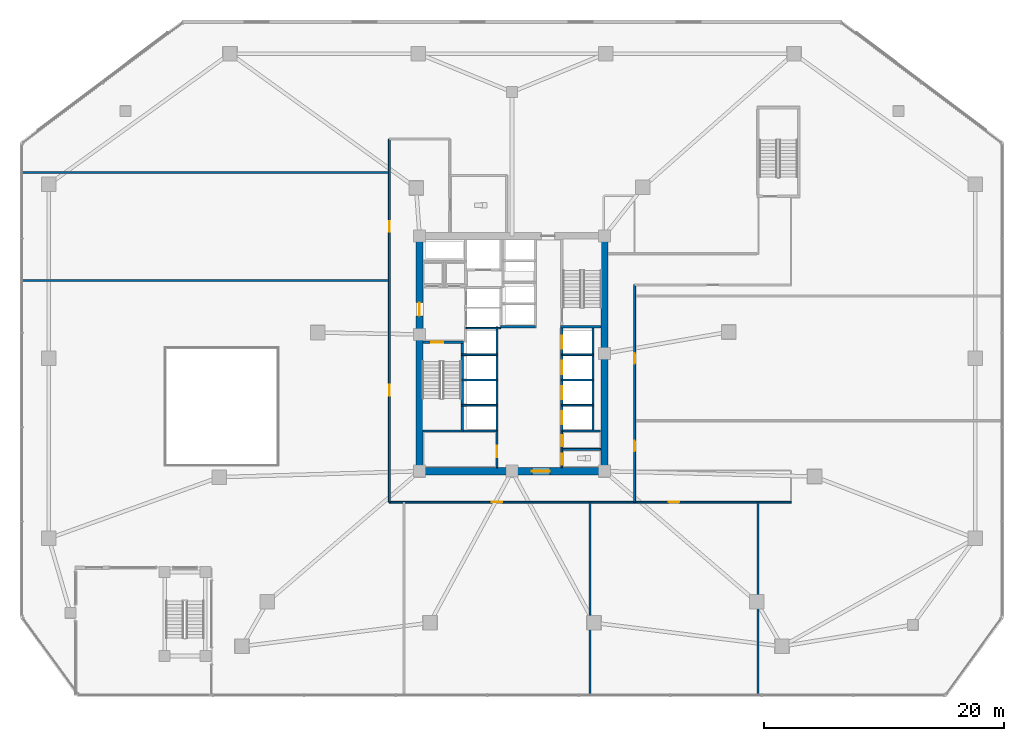
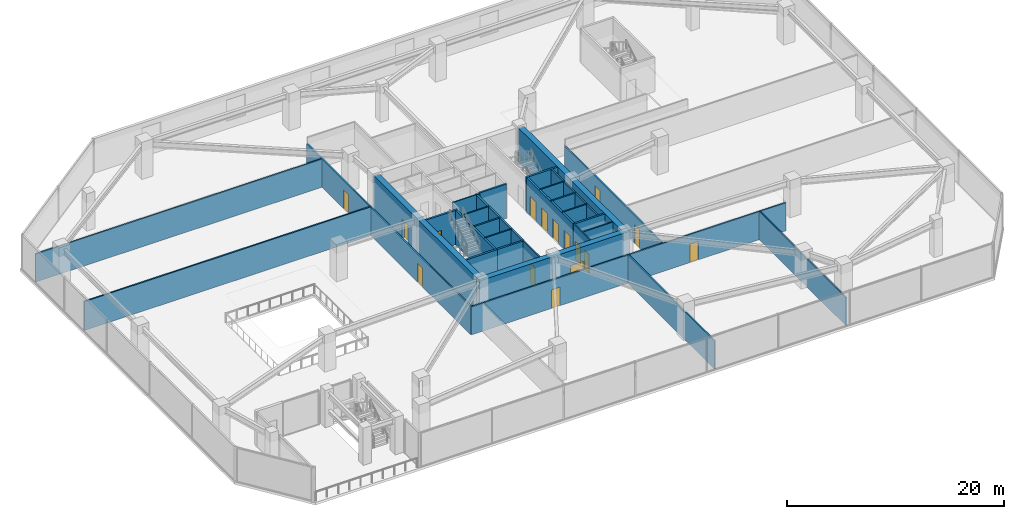
# One storey, part 11 of 22: 30 walls, 16 doors, 16 openings.
"""IFC4 building model written with IfcOpenShell, lengths in metres."""

from ifc_helpers import new_model, si_unit, direction, frame, frame_2d, origin, place, context, subcontext, project, spatial, rectangle, extrude, material, layer, layer_set, type_object, element, fill, save


model = new_model("IFC4")

# Units and contexts
model_context = context("Model", 3, precision=1e-05, world=origin(), true_north=direction((0.0, 1.0)))
body_context = subcontext(model_context, "Body", "Model", "MODEL_VIEW")
ifc_project = project(units=[si_unit("LENGTHUNIT", "METRE"), si_unit("AREAUNIT", "SQUARE_METRE"), si_unit("VOLUMEUNIT", "CUBIC_METRE"), si_unit("PLANEANGLEUNIT", "RADIAN"), si_unit("MASSUNIT", "GRAM", prefix="KILO")], contexts=[model_context])

# Site, building, storey
site_placement = place(None, origin())
site = spatial("IfcSite", under=ifc_project, at=site_placement, CompositionType="ELEMENT")
building_placement = place(site_placement, origin())
building = spatial("IfcBuilding", under=site, at=building_placement, Name="Savorim Split Tower", CompositionType="ELEMENT")
storey_placement = place(building_placement, frame((0.0, 0.0, 17.60009765625)))
storey = spatial("IfcBuildingStorey", under=building, at=storey_placement, Name="L04", CompositionType="ELEMENT", Elevation=17.60009765625)

# Wall, opening, door
ifc_material_1 = material(Name="Concrete C60/75", Category="concrete")
ifc_layer_1 = layer(ifc_material_1, 0.60009765625)
ifc_layer_set_1 = layer_set([ifc_layer_1], Name="WAL-COR-SH600")
wall_type_1 = type_object("IfcWallType", Name="WAL-COR-SH600", PredefinedType="SHEAR", material=ifc_layer_set_1)
wall_1_placement = place(storey_placement, frame((-8.0, -9.39990234375, 0.0), z_axis=(0.0, 0.0, 1.0), x_axis=(1.0, 0.0, 0.0)))
wall_1 = element("IfcWall", 1, at=wall_1_placement, inside=storey, type_object=wall_type_1, Name="L04 Offset Core South Shear Wall", PredefinedType="SHEAR", context=body_context, shape_type="SweptSolid", body=[
    extrude(rectangle(XDim=16.0, YDim=0.60009765625, at=frame_2d((8.0, 0.0))), origin(), (0.0, 0.0, 1.0), 3.8798828125),
])
opening_1_placement = place(wall_1_placement, frame((9.64990234375, 0.0, 0.0)))
opening_1 = element("IfcOpeningElement", 2, at=opening_1_placement, cuts=wall_1, Name="Opening DI-02", PredefinedType="OPENING", context=body_context, shape_type="SweptSolid", body=[
    extrude(rectangle(XDim=1.5, YDim=2.199951171875, at=frame_2d((0.75, 1.10009765625))), frame((0.0, 0.31005859375, 0.0), z_axis=(0.0, -1.0, 0.0), x_axis=(1.0, 0.0, 0.0)), (0.0, 0.0, 1.0), 0.6201171875),
])
ifc_material_2 = material(Name="Timber Fire Door Leaf", Category="wood")
door_type_1 = type_object("IfcDoorType", Name="DOR-DBL-1500", OperationType="NOTDEFINED", PredefinedType="DOOR", material=ifc_material_2)
door_1_placement = place(opening_1_placement, origin())
door_1 = element("IfcDoor", 3, at=door_1_placement, inside=storey, type_object=door_type_1, Name="DOR-L04-COR-LLOB - L04 Lift Lobby Main Rated Door", OperationType="DOUBLE_DOOR_SINGLE_SWING", OverallHeight=2.199951171875, OverallWidth=1.5, PredefinedType="DOOR", context=body_context, shape_type="SweptSolid", body=[
    extrude(rectangle(XDim=1.5, YDim=2.199951171875, at=frame_2d((0.75, 1.10009765625))), frame((0.0, 0.02490234375, 0.0), z_axis=(0.0, -1.0, 0.0), x_axis=(1.0, 0.0, 0.0)), (0.0, 0.0, 1.0), 0.050048828125),
])
fill(opening_1, door_1)

wall_2_placement = place(storey_placement, frame((-7.699951171875, -9.10009765625, 0.0), z_axis=(0.0, 0.0, 1.0), x_axis=(0.0, 1.0, 0.0)))
wall_2 = element("IfcWall", 4, at=wall_2_placement, inside=storey, type_object=wall_type_1, Name="L04 Offset Core West Shear Wall", PredefinedType="SHEAR", context=body_context, shape_type="SweptSolid", body=[
    extrude(rectangle(XDim=19.0, YDim=0.60009765625, at=frame_2d((9.5, 0.0))), origin(), (0.0, 0.0, 1.0), 3.8798828125),
])
opening_2_placement = place(wall_2_placement, frame((12.64990234375, 0.0, 0.0)))
opening_2 = element("IfcOpeningElement", 5, at=opening_2_placement, cuts=wall_2, Name="Opening DI-03", PredefinedType="OPENING", context=body_context, shape_type="SweptSolid", body=[
    extrude(rectangle(XDim=1.10009765625, YDim=2.14990234375, at=frame_2d((0.550048828125, 1.074951171875))), frame((0.0, 0.31005859375, 0.0), z_axis=(0.0, -1.0, 0.0), x_axis=(1.0, 0.0, 0.0)), (0.0, 0.0, 1.0), 0.6201171875),
])
door_type_2 = type_object("IfcDoorType", Name="DOR-FIR-1100", OperationType="NOTDEFINED", PredefinedType="DOOR", material=ifc_material_2)
door_2_placement = place(opening_2_placement, origin())
door_2 = element("IfcDoor", 6, at=door_2_placement, inside=storey, type_object=door_type_2, Name="DOR-L04-COR-FFLOB - L04 Firefighting Lobby Corridor Door", OperationType="SINGLE_SWING_RIGHT", OverallHeight=2.14990234375, OverallWidth=1.10009765625, PredefinedType="DOOR", context=body_context, shape_type="SweptSolid", body=[
    extrude(rectangle(XDim=1.10009765625, YDim=2.14990234375, at=frame_2d((0.550048828125, 1.074951171875))), frame((0.0, 0.02490234375, 0.0), z_axis=(0.0, -1.0, 0.0), x_axis=(1.0, 0.0, 0.0)), (0.0, 0.0, 1.0), 0.050048828125),
])
fill(opening_2, door_2)

# Wall
wall_3_placement = place(storey_placement, frame((7.699951171875, 9.89990234375, 0.0), z_axis=(0.0, 0.0, 1.0), x_axis=(0.0, -1.0, 0.0)))
element("IfcWall", 7, at=wall_3_placement, inside=storey, type_object=wall_type_1, Name="L04 Offset Core East Shear Wall", PredefinedType="SHEAR", context=body_context, shape_type="SweptSolid", body=[
    extrude(rectangle(XDim=19.0, YDim=0.60009765625, at=frame_2d((9.5, 0.0))), origin(), (0.0, 0.0, 1.0), 3.8798828125),
])

# Wall, opening, door
ifc_material_3 = material(Name="Concrete C50/60", Category="concrete")
ifc_layer_2 = layer(ifc_material_3, 0.199951171875)
ifc_layer_set_2 = layer_set([ifc_layer_2], Name="WAL-INT-RC200")
wall_type_2 = type_object("IfcWallType", Name="WAL-INT-RC200", PredefinedType="SOLIDWALL", material=ifc_layer_set_2)
wall_4_placement = place(storey_placement, frame((-7.39990234375, 1.35009765625, 0.0), z_axis=(0.0, 0.0, 1.0), x_axis=(1.0, 0.0, 0.0)))
wall_4 = element("IfcWall", 8, at=wall_4_placement, inside=storey, type_object=wall_type_2, Name="L04 Structural Shaft Wall W-L04-CR01", PredefinedType="SOLIDWALL", context=body_context, shape_type="SweptSolid", body=[
    extrude(rectangle(XDim=3.349853515625, YDim=0.199951171875, at=frame_2d((1.6748046875, 0.0))), origin(), (0.0, 0.0, 1.0), 3.8798828125),
])
opening_3_placement = place(wall_4_placement, frame((0.64990234375, 0.0, 0.0)))
opening_3 = element("IfcOpeningElement", 9, at=opening_3_placement, cuts=wall_4, Name="Opening DI-04", PredefinedType="OPENING", context=body_context, shape_type="SweptSolid", body=[
    extrude(rectangle(XDim=1.0, YDim=2.14990234375, at=frame_2d((0.5, 1.074951171875))), frame((0.0, 0.10986328125, 0.0), z_axis=(0.0, -1.0, 0.0), x_axis=(1.0, 0.0, 0.0)), (0.0, 0.0, 1.0), 0.219970703125),
])
door_type_3 = type_object("IfcDoorType", Name="DOR-FIR-1000", OperationType="NOTDEFINED", PredefinedType="DOOR", material=ifc_material_2)
door_3_placement = place(opening_3_placement, origin())
door_3 = element("IfcDoor", 10, at=door_3_placement, inside=storey, type_object=door_type_3, Name="DR-L04-ST1 - L04 Stair ST-1 Enclosure Door", OperationType="SINGLE_SWING_LEFT", OverallHeight=2.14990234375, OverallWidth=1.0, PredefinedType="DOOR", context=body_context, shape_type="SweptSolid", body=[
    extrude(rectangle(XDim=1.0, YDim=2.14990234375, at=frame_2d((0.5, 1.074951171875))), frame((0.0, 0.02490234375, 0.0), z_axis=(0.0, -1.0, 0.0), x_axis=(1.0, 0.0, 0.0)), (0.0, 0.0, 1.0), 0.050048828125),
])
fill(opening_3, door_3)

# Walls
wall_5_placement = place(storey_placement, frame((-4.14990234375, -5.949951171875, 0.0), z_axis=(0.0, 0.0, 1.0), x_axis=(0.0, 1.0, 0.0)))
element("IfcWall", 11, at=wall_5_placement, inside=storey, type_object=wall_type_2, Name="L04 Structural Shaft Wall W-L04-CR02", PredefinedType="SOLIDWALL", context=body_context, shape_type="SweptSolid", body=[
    extrude(rectangle(XDim=7.199951171875, YDim=0.199951171875, at=frame_2d((3.60009765625, 0.0))), origin(), (0.0, 0.0, 1.0), 3.8798828125),
])
wall_6_placement = place(storey_placement, frame((4.050048828125, 2.64990234375, 0.0), z_axis=(0.0, 0.0, 1.0), x_axis=(1.0, 0.0, 0.0)))
element("IfcWall", 12, at=wall_6_placement, inside=storey, type_object=wall_type_2, Name="L04 Structural Shaft Wall W-L04-CR08", PredefinedType="SOLIDWALL", context=body_context, shape_type="SweptSolid", body=[
    extrude(rectangle(XDim=3.349853515625, YDim=0.199951171875, at=frame_2d((1.6748046875, 0.0))), origin(), (0.0, 0.0, 1.0), 3.8798828125),
])

# Wall, openings, doors
wall_7_placement = place(storey_placement, frame((4.14990234375, -6.050048828125, 0.0), z_axis=(0.0, 0.0, 1.0), x_axis=(0.0, 1.0, 0.0)))
wall_7 = element("IfcWall", 13, at=wall_7_placement, inside=storey, type_object=wall_type_2, Name="L04 Partition W-L04-B1FRONT", PredefinedType="SOLIDWALL", context=body_context, shape_type="SweptSolid", body=[
    extrude(rectangle(XDim=8.699951171875, YDim=0.199951171875, at=frame_2d((4.35009765625, 0.0))), origin(), (0.0, 0.0, 1.0), 3.8798828125),
])
opening_4_placement = place(wall_7_placement, frame((0.550048828125, 0.0, 0.0)))
opening_4 = element("IfcOpeningElement", 14, at=opening_4_placement, cuts=wall_7, Name="Opening LD-01", PredefinedType="OPENING", context=body_context, shape_type="SweptSolid", body=[
    extrude(rectangle(XDim=1.10009765625, YDim=2.14990234375, at=frame_2d((0.550048828125, 1.074951171875))), frame((0.0, 0.10986328125, 0.0), z_axis=(0.0, -1.0, 0.0), x_axis=(1.0, 0.0, 0.0)), (0.0, 0.0, 1.0), 0.219970703125),
])
opening_5_placement = place(wall_7_placement, frame((2.64990234375, 0.0, 0.0)))
opening_5 = element("IfcOpeningElement", 15, at=opening_5_placement, cuts=wall_7, Name="Opening LD-01", PredefinedType="OPENING", context=body_context, shape_type="SweptSolid", body=[
    extrude(rectangle(XDim=1.10009765625, YDim=2.14990234375, at=frame_2d((0.550048828125, 1.074951171875))), frame((0.0, 0.10986328125, 0.0), z_axis=(0.0, -1.0, 0.0), x_axis=(1.0, 0.0, 0.0)), (0.0, 0.0, 1.0), 0.219970703125),
])
opening_6_placement = place(wall_7_placement, frame((4.75, 0.0, 0.0)))
opening_6 = element("IfcOpeningElement", 16, at=opening_6_placement, cuts=wall_7, Name="Opening LD-01", PredefinedType="OPENING", context=body_context, shape_type="SweptSolid", body=[
    extrude(rectangle(XDim=1.10009765625, YDim=2.14990234375, at=frame_2d((0.550048828125, 1.074951171875))), frame((0.0, 0.10986328125, 0.0), z_axis=(0.0, -1.0, 0.0), x_axis=(1.0, 0.0, 0.0)), (0.0, 0.0, 1.0), 0.219970703125),
])
opening_7_placement = place(wall_7_placement, frame((6.85009765625, 0.0, 0.0)))
opening_7 = element("IfcOpeningElement", 17, at=opening_7_placement, cuts=wall_7, Name="Opening LD-01", PredefinedType="OPENING", context=body_context, shape_type="SweptSolid", body=[
    extrude(rectangle(XDim=1.10009765625, YDim=2.14990234375, at=frame_2d((0.550048828125, 1.074951171875))), frame((0.0, 0.10986328125, 0.0), z_axis=(0.0, -1.0, 0.0), x_axis=(1.0, 0.0, 0.0)), (0.0, 0.0, 1.0), 0.219970703125),
])
ifc_material_4 = material(Name="Charcoal Anodised Aluminium", Category="aluminium")
door_type_4 = type_object("IfcDoorType", Name="DOR-SLD-LD1100", OperationType="NOTDEFINED", PredefinedType="DOOR", material=ifc_material_4)
door_4_placement = place(opening_4_placement, origin())
door_4 = element("IfcDoor", 18, at=door_4_placement, inside=storey, type_object=door_type_4, Name="DR-L04-LD-PLL1 - L04 Lift PL-L1 Sliding Landing Door", OperationType="DOUBLE_DOOR_SLIDING", OverallHeight=2.14990234375, OverallWidth=1.10009765625, PredefinedType="DOOR", context=body_context, shape_type="SweptSolid", body=[
    extrude(rectangle(XDim=1.10009765625, YDim=2.14990234375, at=frame_2d((0.550048828125, 1.074951171875))), frame((0.0, 0.02490234375, 0.0), z_axis=(0.0, -1.0, 0.0), x_axis=(1.0, 0.0, 0.0)), (0.0, 0.0, 1.0), 0.050048828125),
])
fill(opening_4, door_4)
door_5_placement = place(opening_5_placement, origin())
door_5 = element("IfcDoor", 19, at=door_5_placement, inside=storey, type_object=door_type_4, Name="DR-L04-LD-PLL2 - L04 Lift PL-L2 Sliding Landing Door", OperationType="DOUBLE_DOOR_SLIDING", OverallHeight=2.14990234375, OverallWidth=1.10009765625, PredefinedType="DOOR", context=body_context, shape_type="SweptSolid", body=[
    extrude(rectangle(XDim=1.10009765625, YDim=2.14990234375, at=frame_2d((0.550048828125, 1.074951171875))), frame((0.0, 0.02490234375, 0.0), z_axis=(0.0, -1.0, 0.0), x_axis=(1.0, 0.0, 0.0)), (0.0, 0.0, 1.0), 0.050048828125),
])
fill(opening_5, door_5)
door_6_placement = place(opening_6_placement, origin())
door_6 = element("IfcDoor", 20, at=door_6_placement, inside=storey, type_object=door_type_4, Name="DR-L04-LD-PLL3 - L04 Lift PL-L3 Sliding Landing Door", OperationType="DOUBLE_DOOR_SLIDING", OverallHeight=2.14990234375, OverallWidth=1.10009765625, PredefinedType="DOOR", context=body_context, shape_type="SweptSolid", body=[
    extrude(rectangle(XDim=1.10009765625, YDim=2.14990234375, at=frame_2d((0.550048828125, 1.074951171875))), frame((0.0, 0.02490234375, 0.0), z_axis=(0.0, -1.0, 0.0), x_axis=(1.0, 0.0, 0.0)), (0.0, 0.0, 1.0), 0.050048828125),
])
fill(opening_6, door_6)
door_7_placement = place(opening_7_placement, origin())
door_7 = element("IfcDoor", 21, at=door_7_placement, inside=storey, type_object=door_type_4, Name="DR-L04-LD-PLL4 - L04 Lift PL-L4 Sliding Landing Door", OperationType="DOUBLE_DOOR_SLIDING", OverallHeight=2.14990234375, OverallWidth=1.10009765625, PredefinedType="DOOR", context=body_context, shape_type="SweptSolid", body=[
    extrude(rectangle(XDim=1.10009765625, YDim=2.14990234375, at=frame_2d((0.550048828125, 1.074951171875))), frame((0.0, 0.02490234375, 0.0), z_axis=(0.0, -1.0, 0.0), x_axis=(1.0, 0.0, 0.0)), (0.0, 0.0, 1.0), 0.050048828125),
])
fill(opening_7, door_7)

# Walls
wall_8_placement = place(storey_placement, frame((-1.25, -6.050048828125, 0.0), z_axis=(0.0, 0.0, 1.0), x_axis=(0.0, 1.0, 0.0)))
element("IfcWall", 22, at=wall_8_placement, inside=storey, type_object=wall_type_2, Name="L04 Partition W-L04-B2FRONT", PredefinedType="SOLIDWALL", context=body_context, shape_type="SweptSolid", body=[
    extrude(rectangle(XDim=8.699951171875, YDim=0.199951171875, at=frame_2d((4.35009765625, 0.0))), origin(), (0.0, 0.0, 1.0), 3.8798828125),
])
wall_9_placement = place(storey_placement, frame((-0.949951171875, 2.64990234375, 0.0), z_axis=(0.0, 0.0, 1.0), x_axis=(1.0, 0.0, 0.0)))
element("IfcWall", 23, at=wall_9_placement, inside=storey, type_object=wall_type_2, Name="L04 Partition W-L04-B3SOUTH", PredefinedType="SOLIDWALL", context=body_context, shape_type="SweptSolid", body=[
    extrude(rectangle(XDim=2.89990234375, YDim=0.199951171875, at=frame_2d((1.449951171875, 0.0))), origin(), (0.0, 0.0, 1.0), 3.8798828125),
])
wall_10_placement = place(storey_placement, frame((-7.39990234375, -6.050048828125, 0.0), z_axis=(0.0, 0.0, 1.0), x_axis=(1.0, 0.0, 0.0)))
element("IfcWall", 24, at=wall_10_placement, inside=storey, type_object=wall_type_2, Name="L04 Structural Shaft Wall W-L04-KSEP-W", PredefinedType="SOLIDWALL", context=body_context, shape_type="SweptSolid", body=[
    extrude(rectangle(XDim=3.349853515625, YDim=0.199951171875, at=frame_2d((1.6748046875, 0.0))), origin(), (0.0, 0.0, 1.0), 3.8798828125),
])
wall_11_placement = place(storey_placement, frame((-4.0400390625, -6.050048828125, 0.0), z_axis=(0.0, 0.0, 1.0), x_axis=(1.0, 0.0, 0.0)))
element("IfcWall", 25, at=wall_11_placement, inside=storey, type_object=wall_type_2, Name="L04 Partition W-L04-KSEP-W2", PredefinedType="SOLIDWALL", context=body_context, shape_type="SweptSolid", body=[
    extrude(rectangle(XDim=2.7900390625, YDim=0.199951171875, at=frame_2d((1.39501953125, 0.0))), origin(), (0.0, 0.0, 1.0), 3.8798828125),
])
wall_12_placement = place(storey_placement, frame((4.14990234375, -6.050048828125, 0.0), z_axis=(0.0, 0.0, 1.0), x_axis=(1.0, 0.0, 0.0)))
element("IfcWall", 26, at=wall_12_placement, inside=storey, type_object=wall_type_2, Name="L04 Partition W-L04-KSEP-E", PredefinedType="SOLIDWALL", context=body_context, shape_type="SweptSolid", body=[
    extrude(rectangle(XDim=3.2451171875, YDim=0.199951171875, at=frame_2d((1.62255859375, 0.0))), origin(), (0.0, 0.0, 1.0), 3.8798828125),
])
ifc_material_5 = material(Name="Acoustic Gypsum Partition Board")
ifc_layer_3 = layer(ifc_material_5, 0.1201171875)
ifc_layer_set_3 = layer_set([ifc_layer_3], Name="WAL-PAR-120")
wall_type_3 = type_object("IfcWallType", Name="WAL-PAR-120", PredefinedType="PARTITIONING", material=ifc_layer_set_3)
wall_13_placement = place(storey_placement, frame((-3.85009765625, 2.52001953125, 0.0), z_axis=(0.0, 0.0, 1.0), x_axis=(1.0, 0.0, 0.0)))
element("IfcWall", 27, at=wall_13_placement, inside=storey, type_object=wall_type_3, Name="L04 Partition W-L04-FFLD0", PredefinedType="PARTITIONING", context=body_context, shape_type="SweptSolid", body=[
    extrude(rectangle(XDim=2.900146484375, YDim=0.1201171875, at=frame_2d((1.4501953125, 0.0))), origin(), (0.0, 0.0, 1.0), 3.8798828125),
])
ifc_layer_4 = layer(ifc_material_5, 0.14990234375)
ifc_layer_set_4 = layer_set([ifc_layer_4], Name="WAL-PAR-150")
wall_type_4 = type_object("IfcWallType", Name="WAL-PAR-150", PredefinedType="PARTITIONING", material=ifc_layer_set_4)
wall_14_placement = place(storey_placement, frame((6.75, -6.050048828125, 0.0), z_axis=(0.0, 0.0, 1.0), x_axis=(0.0, 1.0, 0.0)))
element("IfcWall", 28, at=wall_14_placement, inside=storey, type_object=wall_type_4, Name="L04 Partition W-L04-B1BACK", PredefinedType="PARTITIONING", context=body_context, shape_type="SweptSolid", body=[
    extrude(rectangle(XDim=8.699951171875, YDim=0.14990234375, at=frame_2d((4.35009765625, 0.0))), origin(), (0.0, 0.0, 1.0), 3.8798828125),
])
for number, where, z_axis, x_axis, name in (
    (29, (4.14990234375, -3.89990234375, 0.0), (0.0, 0.0, 1.0), (1.0, 0.0, 0.0), "L04 Partition W-L04-B1DIV1"),
    (30, (4.14990234375, -1.800048828125, 0.0), (0.0, 0.0, 1.0), (1.0, 0.0, 0.0), "L04 Partition W-L04-B1DIV2"),
    (31, (4.14990234375, 0.300048828125, 0.0), (0.0, 0.0, 1.0), (1.0, 0.0, 0.0), "L04 Partition W-L04-B1DIV3"),
):
    element("IfcWall", number, at=place(storey_placement, frame(where, z_axis=z_axis, x_axis=x_axis)), inside=storey, type_object=wall_type_4, Name=name, PredefinedType="PARTITIONING", context=body_context, shape_type="SweptSolid", body=[
        extrude(rectangle(XDim=2.60009765625, YDim=0.14990234375, at=frame_2d((1.300048828125, 0.0))), origin(), (0.0, 0.0, 1.0), 3.8798828125),
    ])
for number, where, z_axis, x_axis, name in (
    (32, (-4.14990234375, -3.89990234375, 0.0), (0.0, 0.0, 1.0), (1.0, 0.0, 0.0), "L04 Partition W-L04-B2DIV1"),
    (33, (-4.14990234375, -1.800048828125, 0.0), (0.0, 0.0, 1.0), (1.0, 0.0, 0.0), "L04 Partition W-L04-B2DIV2"),
    (34, (-4.14990234375, 0.300048828125, 0.0), (0.0, 0.0, 1.0), (1.0, 0.0, 0.0), "L04 Partition W-L04-B2DIV3"),
):
    element("IfcWall", number, at=place(storey_placement, frame(where, z_axis=z_axis, x_axis=x_axis)), inside=storey, type_object=wall_type_4, Name=name, PredefinedType="PARTITIONING", context=body_context, shape_type="SweptSolid", body=[
        extrude(rectangle(XDim=2.89990234375, YDim=0.14990234375, at=frame_2d((1.449951171875, 0.0))), origin(), (0.0, 0.0, 1.0), 3.8798828125),
    ])

# Wall, opening, door
wall_15_placement = place(storey_placement, frame((-1.25, -9.094970703125, 0.0), z_axis=(0.0, 0.0, 1.0), x_axis=(0.0, 1.0, 0.0)))
wall_15 = element("IfcWall", 35, at=wall_15_placement, inside=storey, type_object=wall_type_4, Name="L04 Partition W-L04-KLOB-W", PredefinedType="PARTITIONING", context=body_context, shape_type="SweptSolid", body=[
    extrude(rectangle(XDim=3.044921875, YDim=0.14990234375, at=frame_2d((1.5224609375, 0.0))), origin(), (0.0, 0.0, 1.0), 3.8798828125),
])
opening_8_placement = place(wall_15_placement, frame((0.844970703125, 0.0, 0.0)))
opening_8 = element("IfcOpeningElement", 36, at=opening_8_placement, cuts=wall_15, Name="Opening DI-05", PredefinedType="OPENING", context=body_context, shape_type="SweptSolid", body=[
    extrude(rectangle(XDim=0.949951171875, YDim=2.10009765625, at=frame_2d((0.47509765625, 1.050048828125))), frame((0.0, 0.0849609375, 0.0), z_axis=(0.0, -1.0, 0.0), x_axis=(1.0, 0.0, 0.0)), (0.0, 0.0, 1.0), 0.169921875),
])
door_type_5 = type_object("IfcDoorType", Name="DOR-FIR-950", OperationType="NOTDEFINED", PredefinedType="DOOR", material=ifc_material_2)
door_8_placement = place(opening_8_placement, origin())
door_8 = element("IfcDoor", 37, at=door_8_placement, inside=storey, type_object=door_type_5, Name="DR-L04-K3LIN - L04 Housekeeping Store Door", OperationType="SINGLE_SWING_LEFT", OverallHeight=2.10009765625, OverallWidth=0.949951171875, PredefinedType="DOOR", context=body_context, shape_type="SweptSolid", body=[
    extrude(rectangle(XDim=0.949951171875, YDim=2.10009765625, at=frame_2d((0.47509765625, 1.050048828125))), frame((0.0, 0.02490234375, 0.0), z_axis=(0.0, -1.0, 0.0), x_axis=(1.0, 0.0, 0.0)), (0.0, 0.0, 1.0), 0.050048828125),
])
fill(opening_8, door_8)

# Wall, openings, doors
wall_16_placement = place(storey_placement, frame((4.14990234375, -9.094970703125, 0.0), z_axis=(0.0, 0.0, 1.0), x_axis=(0.0, 1.0, 0.0)))
wall_16 = element("IfcWall", 38, at=wall_16_placement, inside=storey, type_object=wall_type_4, Name="L04 Partition W-L04-KLOB-E", PredefinedType="PARTITIONING", context=body_context, shape_type="SweptSolid", body=[
    extrude(rectangle(XDim=3.044921875, YDim=0.14990234375, at=frame_2d((1.5224609375, 0.0))), origin(), (0.0, 0.0, 1.0), 3.8798828125),
])
opening_9_placement = place(wall_16_placement, frame((0.2451171875, 0.0, 0.0)))
opening_9 = element("IfcOpeningElement", 39, at=opening_9_placement, cuts=wall_16, Name="Opening DI-11", PredefinedType="OPENING", context=body_context, shape_type="SweptSolid", body=[
    extrude(rectangle(XDim=0.89990234375, YDim=2.10009765625, at=frame_2d((0.449951171875, 1.050048828125))), frame((0.0, 0.0849609375, 0.0), z_axis=(0.0, -1.0, 0.0), x_axis=(1.0, 0.0, 0.0)), (0.0, 0.0, 1.0), 0.169921875),
])
opening_10_placement = place(wall_16_placement, frame((1.794921875, 0.0, 0.0)))
opening_10 = element("IfcOpeningElement", 40, at=opening_10_placement, cuts=wall_16, Name="Opening DI-06", PredefinedType="OPENING", context=body_context, shape_type="SweptSolid", body=[
    extrude(rectangle(XDim=0.89990234375, YDim=2.10009765625, at=frame_2d((0.449951171875, 1.050048828125))), frame((0.0, 0.0849609375, 0.0), z_axis=(0.0, -1.0, 0.0), x_axis=(1.0, 0.0, 0.0)), (0.0, 0.0, 1.0), 0.169921875),
])
door_type_6 = type_object("IfcDoorType", Name="DOR-FIR-900", OperationType="NOTDEFINED", PredefinedType="DOOR", material=ifc_material_2)
door_9_placement = place(opening_10_placement, origin())
door_9 = element("IfcDoor", 41, at=door_9_placement, inside=storey, type_object=door_type_6, Name="DR-L04-K3LCK - L04 Cleaning Store Door", OperationType="SINGLE_SWING_LEFT", OverallHeight=2.10009765625, OverallWidth=0.89990234375, PredefinedType="DOOR", context=body_context, shape_type="SweptSolid", body=[
    extrude(rectangle(XDim=0.89990234375, YDim=2.10009765625, at=frame_2d((0.449951171875, 1.050048828125))), frame((0.0, 0.02490234375, 0.0), z_axis=(0.0, -1.0, 0.0), x_axis=(1.0, 0.0, 0.0)), (0.0, 0.0, 1.0), 0.050048828125),
])
fill(opening_10, door_9)
ifc_material_6 = material(Name="Oak Veneer Acoustic Door")
door_type_7 = type_object("IfcDoorType", Name="DOR-WC-900", OperationType="NOTDEFINED", PredefinedType="DOOR", material=ifc_material_6)
door_10_placement = place(opening_9_placement, origin())
door_10 = element("IfcDoor", 42, at=door_10_placement, inside=storey, type_object=door_type_7, Name="DR-L04-K3AWC - L04 Core Accessible WC Door", OperationType="SINGLE_SWING_RIGHT", OverallHeight=2.10009765625, OverallWidth=0.89990234375, PredefinedType="DOOR", context=body_context, shape_type="SweptSolid", body=[
    extrude(rectangle(XDim=0.89990234375, YDim=2.10009765625, at=frame_2d((0.449951171875, 1.050048828125))), frame((0.0, 0.02490234375, 0.0), z_axis=(0.0, -1.0, 0.0), x_axis=(1.0, 0.0, 0.0)), (0.0, 0.0, 1.0), 0.050048828125),
])
fill(opening_9, door_10)

# Wall
wall_17_placement = place(storey_placement, frame((4.14990234375, -7.580078125, 0.0), z_axis=(0.0, 0.0, 1.0), x_axis=(1.0, 0.0, 0.0)))
element("IfcWall", 43, at=wall_17_placement, inside=storey, type_object=wall_type_4, Name="L04 Partition W-L04-K3H", PredefinedType="PARTITIONING", context=body_context, shape_type="SweptSolid", body=[
    extrude(rectangle(XDim=3.2451171875, YDim=0.14990234375, at=frame_2d((1.62255859375, 0.0))), origin(), (0.0, 0.0, 1.0), 3.8798828125),
])

# Wall, openings, doors
wall_18_placement = place(storey_placement, frame((-10.219970703125, -11.97998046875, 0.0), z_axis=(0.0, 0.0, 1.0), x_axis=(1.0, 0.0, 0.0)))
wall_18 = element("IfcWall", 44, at=wall_18_placement, inside=storey, type_object=wall_type_4, Name="L04 Partition W-L04-PCS", PredefinedType="PARTITIONING", context=body_context, shape_type="SweptSolid", body=[
    extrude(rectangle(XDim=33.5, YDim=0.14990234375, at=frame_2d((16.75, 0.0))), origin(), (0.0, 0.0, 1.0), 3.15478515625),
])
opening_11_placement = place(wall_18_placement, frame((8.52001953125, 0.0, 0.0)))
opening_11 = element("IfcOpeningElement", 45, at=opening_11_placement, cuts=wall_18, Name="Opening DI-06", PredefinedType="OPENING", context=body_context, shape_type="SweptSolid", body=[
    extrude(rectangle(XDim=0.89990234375, YDim=2.10009765625, at=frame_2d((0.449951171875, 1.050048828125))), frame((0.0, 0.0849609375, 0.0), z_axis=(0.0, -1.0, 0.0), x_axis=(1.0, 0.0, 0.0)), (0.0, 0.0, 1.0), 0.169921875),
])
opening_12_placement = place(wall_18_placement, frame((23.27001953125, 0.0, 0.0)))
opening_12 = element("IfcOpeningElement", 46, at=opening_12_placement, cuts=wall_18, Name="Opening DI-06", PredefinedType="OPENING", context=body_context, shape_type="SweptSolid", body=[
    extrude(rectangle(XDim=0.89990234375, YDim=2.10009765625, at=frame_2d((0.449951171875, 1.050048828125))), frame((0.0, 0.0849609375, 0.0), z_axis=(0.0, -1.0, 0.0), x_axis=(1.0, 0.0, 0.0)), (0.0, 0.0, 1.0), 0.169921875),
])
door_11_placement = place(opening_11_placement, origin())
door_11 = element("IfcDoor", 47, at=door_11_placement, inside=storey, type_object=door_type_6, Name="DR-L04-RM03 - L04 Quiet Study Room Entry Door", OperationType="SINGLE_SWING_RIGHT", OverallHeight=2.10009765625, OverallWidth=0.89990234375, PredefinedType="DOOR", context=body_context, shape_type="SweptSolid", body=[
    extrude(rectangle(XDim=0.89990234375, YDim=2.10009765625, at=frame_2d((0.449951171875, 1.050048828125))), frame((0.0, 0.02490234375, 0.0), z_axis=(0.0, -1.0, 0.0), x_axis=(1.0, 0.0, 0.0)), (0.0, 0.0, 1.0), 0.050048828125),
])
fill(opening_11, door_11)
door_12_placement = place(opening_12_placement, origin())
door_12 = element("IfcDoor", 48, at=door_12_placement, inside=storey, type_object=door_type_6, Name="DR-L04-RM04 - L04 Atrium Gallery Entry Door", OperationType="SINGLE_SWING_LEFT", OverallHeight=2.10009765625, OverallWidth=0.89990234375, PredefinedType="DOOR", context=body_context, shape_type="SweptSolid", body=[
    extrude(rectangle(XDim=0.89990234375, YDim=2.10009765625, at=frame_2d((0.449951171875, 1.050048828125))), frame((0.0, 0.02490234375, 0.0), z_axis=(0.0, -1.0, 0.0), x_axis=(1.0, 0.0, 0.0)), (0.0, 0.0, 1.0), 0.050048828125),
])
fill(opening_12, door_12)

wall_19_placement = place(storey_placement, frame((-10.219970703125, -11.97998046875, 0.0), z_axis=(0.0, 0.0, 1.0), x_axis=(0.0, 1.0, 0.0)))
wall_19 = element("IfcWall", 49, at=wall_19_placement, inside=storey, type_object=wall_type_4, Name="L04 Partition W-L04-PCW", PredefinedType="PARTITIONING", context=body_context, shape_type="SweptSolid", body=[
    extrude(rectangle(XDim=30.260009765625, YDim=0.14990234375, at=frame_2d((15.1298828125, 0.0))), origin(), (0.0, 0.0, 1.0), 3.15478515625),
])
opening_13_placement = place(wall_19_placement, frame((8.8740234375, 0.0, 0.0)))
opening_13 = element("IfcOpeningElement", 50, at=opening_13_placement, cuts=wall_19, Name="Opening DI-06", PredefinedType="OPENING", context=body_context, shape_type="SweptSolid", body=[
    extrude(rectangle(XDim=0.89990234375, YDim=2.10009765625, at=frame_2d((0.449951171875, 1.050048828125))), frame((0.0, 0.0849609375, 0.0), z_axis=(0.0, -1.0, 0.0), x_axis=(1.0, 0.0, 0.0)), (0.0, 0.0, 1.0), 0.169921875),
])
opening_14_placement = place(wall_19_placement, frame((22.530029296875, 0.0, 0.0)))
opening_14 = element("IfcOpeningElement", 51, at=opening_14_placement, cuts=wall_19, Name="Opening DI-06", PredefinedType="OPENING", context=body_context, shape_type="SweptSolid", body=[
    extrude(rectangle(XDim=0.89990234375, YDim=2.10009765625, at=frame_2d((0.449951171875, 1.050048828125))), frame((0.0, 0.0849609375, 0.0), z_axis=(0.0, -1.0, 0.0), x_axis=(1.0, 0.0, 0.0)), (0.0, 0.0, 1.0), 0.169921875),
])
door_13_placement = place(opening_13_placement, origin())
door_13 = element("IfcDoor", 52, at=door_13_placement, inside=storey, type_object=door_type_6, Name="DR-L04-RM02 - L04 Co-Working Commons Entry Door", OperationType="SINGLE_SWING_LEFT", OverallHeight=2.10009765625, OverallWidth=0.89990234375, PredefinedType="DOOR", context=body_context, shape_type="SweptSolid", body=[
    extrude(rectangle(XDim=0.89990234375, YDim=2.10009765625, at=frame_2d((0.449951171875, 1.050048828125))), frame((0.0, 0.02490234375, 0.0), z_axis=(0.0, -1.0, 0.0), x_axis=(1.0, 0.0, 0.0)), (0.0, 0.0, 1.0), 0.050048828125),
])
fill(opening_13, door_13)
door_14_placement = place(opening_14_placement, origin())
door_14 = element("IfcDoor", 53, at=door_14_placement, inside=storey, type_object=door_type_6, Name="DR-L04-RM08 - L04 Maker Workshop Entry Door", OperationType="SINGLE_SWING_LEFT", OverallHeight=2.10009765625, OverallWidth=0.89990234375, PredefinedType="DOOR", context=body_context, shape_type="SweptSolid", body=[
    extrude(rectangle(XDim=0.89990234375, YDim=2.10009765625, at=frame_2d((0.449951171875, 1.050048828125))), frame((0.0, 0.02490234375, 0.0), z_axis=(0.0, -1.0, 0.0), x_axis=(1.0, 0.0, 0.0)), (0.0, 0.0, 1.0), 0.050048828125),
])
fill(opening_14, door_14)

wall_20_placement = place(storey_placement, frame((10.219970703125, -11.97998046875, 0.0), z_axis=(0.0, 0.0, 1.0), x_axis=(0.0, 1.0, 0.0)))
wall_20 = element("IfcWall", 54, at=wall_20_placement, inside=storey, type_object=wall_type_4, Name="L04 Partition W-L04-PCE", PredefinedType="PARTITIONING", context=body_context, shape_type="SweptSolid", body=[
    extrude(rectangle(XDim=18.10009765625, YDim=0.14990234375, at=frame_2d((9.050048828125, 0.0))), origin(), (0.0, 0.0, 1.0), 3.15478515625),
])
opening_15_placement = place(wall_20_placement, frame((4.232421875, 0.0, 0.0)))
opening_15 = element("IfcOpeningElement", 55, at=opening_15_placement, cuts=wall_20, Name="Opening DI-06", PredefinedType="OPENING", context=body_context, shape_type="SweptSolid", body=[
    extrude(rectangle(XDim=0.89990234375, YDim=2.10009765625, at=frame_2d((0.449951171875, 1.050048828125))), frame((0.0, 0.0849609375, 0.0), z_axis=(0.0, -1.0, 0.0), x_axis=(1.0, 0.0, 0.0)), (0.0, 0.0, 1.0), 0.169921875),
])
opening_16_placement = place(wall_20_placement, frame((11.530029296875, 0.0, 0.0)))
opening_16 = element("IfcOpeningElement", 56, at=opening_16_placement, cuts=wall_20, Name="Opening DI-06", PredefinedType="OPENING", context=body_context, shape_type="SweptSolid", body=[
    extrude(rectangle(XDim=0.89990234375, YDim=2.10009765625, at=frame_2d((0.449951171875, 1.050048828125))), frame((0.0, 0.0849609375, 0.0), z_axis=(0.0, -1.0, 0.0), x_axis=(1.0, 0.0, 0.0)), (0.0, 0.0, 1.0), 0.169921875),
])
door_15_placement = place(opening_15_placement, origin())
door_15 = element("IfcDoor", 57, at=door_15_placement, inside=storey, type_object=door_type_6, Name="DR-L04-RM05 - L04 Maker Workshop Entry Door", OperationType="SINGLE_SWING_RIGHT", OverallHeight=2.10009765625, OverallWidth=0.89990234375, PredefinedType="DOOR", context=body_context, shape_type="SweptSolid", body=[
    extrude(rectangle(XDim=0.89990234375, YDim=2.10009765625, at=frame_2d((0.449951171875, 1.050048828125))), frame((0.0, 0.02490234375, 0.0), z_axis=(0.0, -1.0, 0.0), x_axis=(1.0, 0.0, 0.0)), (0.0, 0.0, 1.0), 0.050048828125),
])
fill(opening_15, door_15)
door_16_placement = place(opening_16_placement, origin())
door_16 = element("IfcDoor", 58, at=door_16_placement, inside=storey, type_object=door_type_6, Name="DR-L04-RM06 - L04 Co-Working Commons Entry Door", OperationType="SINGLE_SWING_LEFT", OverallHeight=2.10009765625, OverallWidth=0.89990234375, PredefinedType="DOOR", context=body_context, shape_type="SweptSolid", body=[
    extrude(rectangle(XDim=0.89990234375, YDim=2.10009765625, at=frame_2d((0.449951171875, 1.050048828125))), frame((0.0, 0.02490234375, 0.0), z_axis=(0.0, -1.0, 0.0), x_axis=(1.0, 0.0, 0.0)), (0.0, 0.0, 1.0), 0.050048828125),
])
fill(opening_16, door_16)

# Walls
wall_21_placement = place(storey_placement, frame((-40.820068359375, 6.5, 0.0), z_axis=(0.0, 0.0, 1.0), x_axis=(1.0, 0.0, 0.0)))
element("IfcWall", 59, at=wall_21_placement, inside=storey, type_object=wall_type_4, Name="L04 Partition W-L04-PD4", PredefinedType="PARTITIONING", context=body_context, shape_type="SweptSolid", body=[
    extrude(rectangle(XDim=30.60009765625, YDim=0.14990234375, at=frame_2d((15.300048828125, 0.0))), origin(), (0.0, 0.0, 1.0), 3.264892578125),
])
for number, where, z_axis, x_axis, name in (
    (60, (6.5, -28.02001953125, 0.0), (0.0, 0.0, 1.0), (0.0, 1.0, 0.0), "L04 Partition W-L04-PD3A"),
    (61, (20.5, -28.02001953125, 0.0), (0.0, 0.0, 1.0), (0.0, 1.0, 0.0), "L04 Partition W-L04-PD3B"),
):
    element("IfcWall", number, at=place(storey_placement, frame(where, z_axis=z_axis, x_axis=x_axis)), inside=storey, type_object=wall_type_4, Name=name, PredefinedType="PARTITIONING", context=body_context, shape_type="SweptSolid", body=[
        extrude(rectangle(XDim=16.0400390625, YDim=0.14990234375, at=frame_2d((8.02001953125, 0.0))), origin(), (0.0, 0.0, 1.0), 3.15478515625),
    ])
wall_22_placement = place(storey_placement, frame((-40.820068359375, 15.5, 0.0), z_axis=(0.0, 0.0, 1.0), x_axis=(1.0, 0.0, 0.0)))
element("IfcWall", 62, at=wall_22_placement, inside=storey, type_object=wall_type_4, Name="L04 Partition W-L04-PD3D", PredefinedType="PARTITIONING", context=body_context, shape_type="SweptSolid", body=[
    extrude(rectangle(XDim=30.60009765625, YDim=0.14990234375, at=frame_2d((15.300048828125, 0.0))), origin(), (0.0, 0.0, 1.0), 3.15478515625),
])

save(model, "model.ifc")
